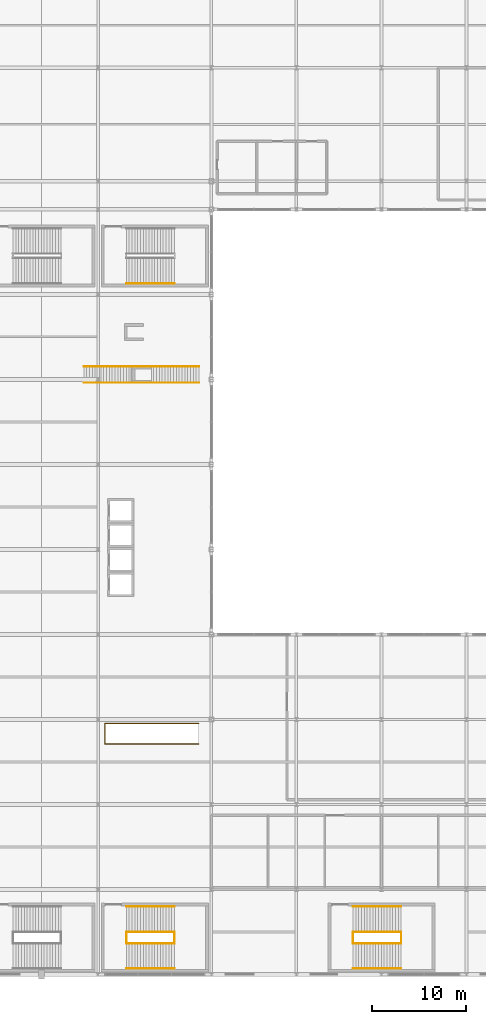
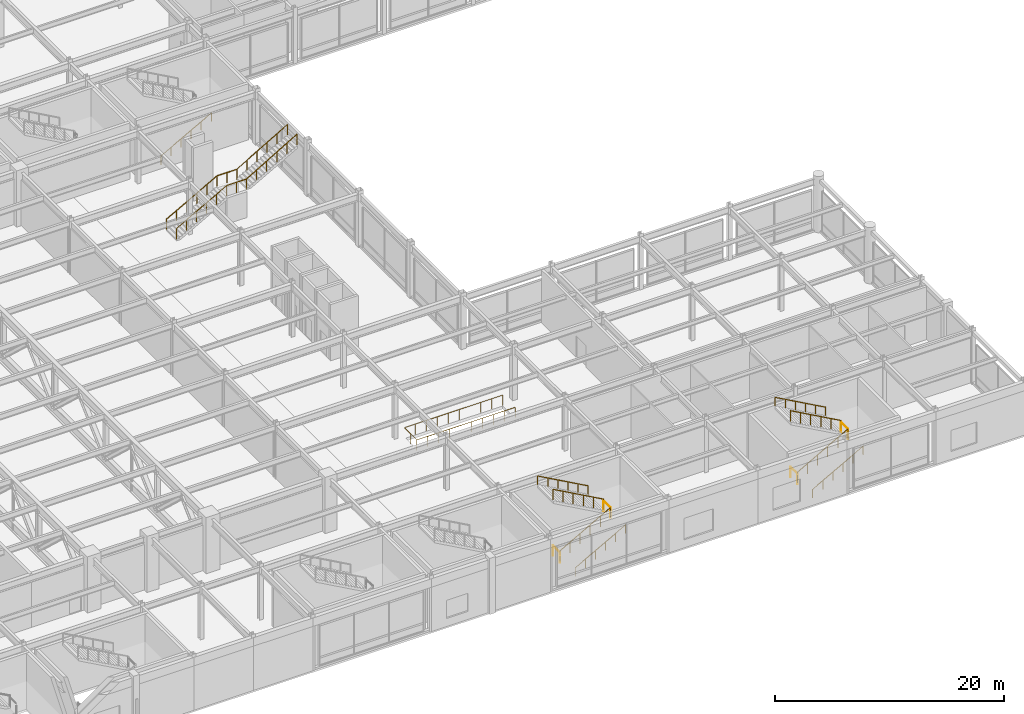
# One storey, part 107 of 108: 16 railings.
"""IFC4 building model written with IfcOpenShell, lengths in metres."""

from ifc_helpers import new_model, si_unit, direction, frame, origin, origin_2d, place, context, subcontext, project, spatial, circle, extrude, material, type_object, element, save


model = new_model("IFC4")

# Units and contexts
model_context = context("Model", 3, precision=1e-05, world=origin(), true_north=direction((0.0, 1.0)))
body_context = subcontext(model_context, "Body", "Model", "MODEL_VIEW")
ifc_project = project(units=[si_unit("LENGTHUNIT", "METRE"), si_unit("AREAUNIT", "SQUARE_METRE"), si_unit("VOLUMEUNIT", "CUBIC_METRE"), si_unit("PLANEANGLEUNIT", "RADIAN"), si_unit("MASSUNIT", "GRAM", prefix="KILO")], contexts=[model_context])

# Site, building, storey
site_placement = place(None, origin())
site = spatial("IfcSite", under=ifc_project, at=site_placement, CompositionType="ELEMENT")
building_placement = place(site_placement, origin())
building = spatial("IfcBuilding", under=site, at=building_placement, Name="Kaldorvane Square Convention Centre", CompositionType="ELEMENT")
storey_placement = place(building_placement, frame((0.0, 0.0, 12.0)))
storey = spatial("IfcBuildingStorey", under=building, at=storey_placement, Name="L02", CompositionType="ELEMENT", Elevation=12.0)

# Railings
ifc_material = material(Name="Architectural Painted Steel", Category="steel")
railing_type_1 = type_object("IfcRailingType", Name="RL-GUARD-1120", PredefinedType="BALUSTRADE", material=ifc_material)
for number, where, name in (
    (1, (128.99000549316406, 3.30999755859375, 0.0), "Convention Exit Stair C10 Floor Well Guard (L02)"),
    (2, (134.08999633789062, 3.30999755859375, 3.0), "Convention Exit Stair C10 Half-Landing Guard (L02)"),
):
    element("IfcRailing", number, at=place(storey_placement, frame(where)), inside=storey, type_object=railing_type_1, Name=name, PredefinedType="BALUSTRADE", context=body_context, shape_type="SweptSolid", body=[
        extrude(circle(Radius=0.0240020751953125, at=origin_2d()), frame((0.0, 0.0, 1.0959930419921875), z_axis=(0.0, 1.0, 0.0), x_axis=(-1.0, 0.0, 0.0)), (0.0, 0.0, 1.0), 1.19000244140625),
        extrude(circle(Radius=0.02099609375, at=origin_2d()), origin(), (0.0, 0.0, 1.0), 1.071990966796875),
        extrude(circle(Radius=0.02099609375, at=origin_2d()), frame((0.0, 1.19000244140625, 0.0)), (0.0, 0.0, 1.0), 1.071990966796875),
    ])
railing_1_placement = place(storey_placement, frame((128.99000549316406, 3.3000030517578125, 0.1666717529296875)))
element("IfcRailing", 3, at=railing_1_placement, inside=storey, type_object=railing_type_1, Name="Convention Exit Stair C10 Flight 1 Guard (L02)", PredefinedType="BALUSTRADE", context=body_context, shape_type="SweptSolid", body=[
    extrude(circle(Radius=0.0240020751953125, at=origin_2d()), frame((0.0, 0.0, 1.0959930419921875), z_axis=(0.874157276122, 0.0, 0.485642931179), x_axis=(0.0, 1.0, 0.0)), (0.0, 0.0, 1.0), 5.8341827392578125),
    extrude(circle(Radius=0.02099609375, at=origin_2d()), origin(), (0.0, 0.0, 1.0), 1.071990966796875),
    extrude(circle(Radius=0.02099609375, at=origin_2d()), frame((1.0200042724609375, 0.0, 0.5666656494140625)), (0.0, 0.0, 1.0), 1.071990966796875),
    extrude(circle(Radius=0.02099609375, at=origin_2d()), frame((2.0399932861328125, 0.0, 1.133331298828125)), (0.0, 0.0, 1.0), 1.071990966796875),
    extrude(circle(Radius=0.02099609375, at=origin_2d()), frame((3.05999755859375, 0.0, 1.6999969482421875)), (0.0, 0.0, 1.0), 1.071990966796875),
    extrude(circle(Radius=0.02099609375, at=origin_2d()), frame((4.079986572265625, 0.0, 2.26666259765625)), (0.0, 0.0, 1.0), 1.071990966796875),
    extrude(circle(Radius=0.02099609375, at=origin_2d()), frame((5.0999908447265625, 0.0, 2.8333282470703125)), (0.0, 0.0, 1.0), 1.071990966796875),
])
railing_2_placement = place(storey_placement, frame((134.08999633789062, 4.5099945068359375, 3.1666717529296875)))
element("IfcRailing", 4, at=railing_2_placement, inside=storey, type_object=railing_type_1, Name="Convention Exit Stair C10 Flight 2 Guard (L02)", PredefinedType="BALUSTRADE", context=body_context, shape_type="SweptSolid", body=[
    extrude(circle(Radius=0.0240020751953125, at=origin_2d()), frame((0.0, 0.0, 1.0959930419921875), z_axis=(-0.874157276122, 0.0, 0.485642931179), x_axis=(0.0, -1.0, 0.0)), (0.0, 0.0, 1.0), 5.8341827392578125),
    extrude(circle(Radius=0.02099609375, at=origin_2d()), origin(), (0.0, 0.0, 1.0), 1.071990966796875),
    extrude(circle(Radius=0.02099609375, at=origin_2d()), frame((-1.0200042724609375, 0.0, 0.5666656494140625)), (0.0, 0.0, 1.0), 1.071990966796875),
    extrude(circle(Radius=0.02099609375, at=origin_2d()), frame((-2.0399932861328125, 0.0, 1.133331298828125)), (0.0, 0.0, 1.0), 1.071990966796875),
    extrude(circle(Radius=0.02099609375, at=origin_2d()), frame((-3.05999755859375, 0.0, 1.6999969482421875)), (0.0, 0.0, 1.0), 1.071990966796875),
    extrude(circle(Radius=0.02099609375, at=origin_2d()), frame((-4.079986572265625, 0.0, 2.26666259765625)), (0.0, 0.0, 1.0), 1.071990966796875),
    extrude(circle(Radius=0.02099609375, at=origin_2d()), frame((-5.0999908447265625, 0.0, 2.8333282470703125)), (0.0, 0.0, 1.0), 1.071990966796875),
])
for number, where, name in (
    (5, (152.99000549316406, 3.30999755859375, 0.0), "Convention Exit Stair C11 Floor Well Guard (L02)"),
    (6, (158.08999633789062, 3.30999755859375, 3.0), "Convention Exit Stair C11 Half-Landing Guard (L02)"),
):
    element("IfcRailing", number, at=place(storey_placement, frame(where)), inside=storey, type_object=railing_type_1, Name=name, PredefinedType="BALUSTRADE", context=body_context, shape_type="SweptSolid", body=[
        extrude(circle(Radius=0.0240020751953125, at=origin_2d()), frame((0.0, 0.0, 1.0959930419921875), z_axis=(0.0, 1.0, 0.0), x_axis=(-1.0, 0.0, 0.0)), (0.0, 0.0, 1.0), 1.19000244140625),
        extrude(circle(Radius=0.02099609375, at=origin_2d()), origin(), (0.0, 0.0, 1.0), 1.071990966796875),
        extrude(circle(Radius=0.02099609375, at=origin_2d()), frame((0.0, 1.19000244140625, 0.0)), (0.0, 0.0, 1.0), 1.071990966796875),
    ])
railing_3_placement = place(storey_placement, frame((152.99000549316406, 3.3000030517578125, 0.1666717529296875)))
element("IfcRailing", 7, at=railing_3_placement, inside=storey, type_object=railing_type_1, Name="Convention Exit Stair C11 Flight 1 Guard (L02)", PredefinedType="BALUSTRADE", context=body_context, shape_type="SweptSolid", body=[
    extrude(circle(Radius=0.0240020751953125, at=origin_2d()), frame((0.0, 0.0, 1.0959930419921875), z_axis=(0.874157276122, 0.0, 0.485642931179), x_axis=(0.0, 1.0, 0.0)), (0.0, 0.0, 1.0), 5.8341827392578125),
    extrude(circle(Radius=0.02099609375, at=origin_2d()), origin(), (0.0, 0.0, 1.0), 1.071990966796875),
    extrude(circle(Radius=0.02099609375, at=origin_2d()), frame((1.0200042724609375, 0.0, 0.5666656494140625)), (0.0, 0.0, 1.0), 1.071990966796875),
    extrude(circle(Radius=0.02099609375, at=origin_2d()), frame((2.0399932861328125, 0.0, 1.133331298828125)), (0.0, 0.0, 1.0), 1.071990966796875),
    extrude(circle(Radius=0.02099609375, at=origin_2d()), frame((3.05999755859375, 0.0, 1.6999969482421875)), (0.0, 0.0, 1.0), 1.071990966796875),
    extrude(circle(Radius=0.02099609375, at=origin_2d()), frame((4.079986572265625, 0.0, 2.26666259765625)), (0.0, 0.0, 1.0), 1.071990966796875),
    extrude(circle(Radius=0.02099609375, at=origin_2d()), frame((5.0999908447265625, 0.0, 2.8333282470703125)), (0.0, 0.0, 1.0), 1.071990966796875),
])
railing_4_placement = place(storey_placement, frame((158.08999633789062, 4.5099945068359375, 3.1666717529296875)))
element("IfcRailing", 8, at=railing_4_placement, inside=storey, type_object=railing_type_1, Name="Convention Exit Stair C11 Flight 2 Guard (L02)", PredefinedType="BALUSTRADE", context=body_context, shape_type="SweptSolid", body=[
    extrude(circle(Radius=0.0240020751953125, at=origin_2d()), frame((0.0, 0.0, 1.0959930419921875), z_axis=(-0.874157276122, 0.0, 0.485642931179), x_axis=(0.0, -1.0, 0.0)), (0.0, 0.0, 1.0), 5.8341827392578125),
    extrude(circle(Radius=0.02099609375, at=origin_2d()), origin(), (0.0, 0.0, 1.0), 1.071990966796875),
    extrude(circle(Radius=0.02099609375, at=origin_2d()), frame((-1.0200042724609375, 0.0, 0.5666656494140625)), (0.0, 0.0, 1.0), 1.071990966796875),
    extrude(circle(Radius=0.02099609375, at=origin_2d()), frame((-2.0399932861328125, 0.0, 1.133331298828125)), (0.0, 0.0, 1.0), 1.071990966796875),
    extrude(circle(Radius=0.02099609375, at=origin_2d()), frame((-3.05999755859375, 0.0, 1.6999969482421875)), (0.0, 0.0, 1.0), 1.071990966796875),
    extrude(circle(Radius=0.02099609375, at=origin_2d()), frame((-4.079986572265625, 0.0, 2.26666259765625)), (0.0, 0.0, 1.0), 1.071990966796875),
    extrude(circle(Radius=0.02099609375, at=origin_2d()), frame((-5.0999908447265625, 0.0, 2.8333282470703125)), (0.0, 0.0, 1.0), 1.071990966796875),
])
railing_5_placement = place(storey_placement, frame((136.64999389648438, 24.419998168945312, 0.0)))
element("IfcRailing", 9, at=railing_5_placement, inside=storey, type_object=railing_type_1, Name="East Foyer Grand Stair F2 Upper Well Guard (L02)", PredefinedType="BALUSTRADE", context=body_context, shape_type="SweptSolid", body=[
    extrude(circle(Radius=0.0240020751953125, at=origin_2d()), frame((0.0, 0.0, 1.0959930419921875), z_axis=(-1.0, 0.0, 0.0), x_axis=(0.0, -1.0, 0.0)), (0.0, 0.0, 1.0), 9.92999267578125),
    extrude(circle(Radius=0.0240020751953125, at=origin_2d()), frame((-9.92999267578125, 0.0, 1.0959930419921875), z_axis=(0.0, 1.0, 0.0), x_axis=(-1.0, 0.0, 0.0)), (0.0, 0.0, 1.0), 2.160003662109375),
    extrude(circle(Radius=0.0240020751953125, at=origin_2d()), frame((-9.92999267578125, 2.160003662109375, 1.0959930419921875), z_axis=(1.0, 0.0, 0.0), x_axis=(0.0, 1.0, 0.0)), (0.0, 0.0, 1.0), 9.92999267578125),
    extrude(circle(Radius=0.02099609375, at=origin_2d()), origin(), (0.0, 0.0, 1.0), 1.071990966796875),
    extrude(circle(Radius=0.02099609375, at=origin_2d()), frame((-1.10333251953125, 0.0, 0.0)), (0.0, 0.0, 1.0), 1.071990966796875),
    extrude(circle(Radius=0.02099609375, at=origin_2d()), frame((-2.2066650390625, 0.0, 0.0)), (0.0, 0.0, 1.0), 1.071990966796875),
    extrude(circle(Radius=0.02099609375, at=origin_2d()), frame((-3.30999755859375, 0.0, 0.0)), (0.0, 0.0, 1.0), 1.071990966796875),
    extrude(circle(Radius=0.02099609375, at=origin_2d()), frame((-4.413330078125, 0.0, 0.0)), (0.0, 0.0, 1.0), 1.071990966796875),
    extrude(circle(Radius=0.02099609375, at=origin_2d()), frame((-5.51666259765625, 0.0, 0.0)), (0.0, 0.0, 1.0), 1.071990966796875),
    extrude(circle(Radius=0.02099609375, at=origin_2d()), frame((-6.6199951171875, 0.0, 0.0)), (0.0, 0.0, 1.0), 1.071990966796875),
    extrude(circle(Radius=0.02099609375, at=origin_2d()), frame((-7.72332763671875, 0.0, 0.0)), (0.0, 0.0, 1.0), 1.071990966796875),
    extrude(circle(Radius=0.02099609375, at=origin_2d()), frame((-8.82666015625, 0.0, 0.0)), (0.0, 0.0, 1.0), 1.071990966796875),
    extrude(circle(Radius=0.02099609375, at=origin_2d()), frame((-9.92999267578125, 0.0, 0.0)), (0.0, 0.0, 1.0), 1.071990966796875),
    extrude(circle(Radius=0.02099609375, at=origin_2d()), frame((-9.92999267578125, 1.0800018310546875, 0.0)), (0.0, 0.0, 1.0), 1.071990966796875),
    extrude(circle(Radius=0.02099609375, at=origin_2d()), frame((-9.92999267578125, 2.160003662109375, 0.0)), (0.0, 0.0, 1.0), 1.071990966796875),
    extrude(circle(Radius=0.02099609375, at=origin_2d()), frame((-8.82666015625, 2.160003662109375, 0.0)), (0.0, 0.0, 1.0), 1.071990966796875),
    extrude(circle(Radius=0.02099609375, at=origin_2d()), frame((-7.72332763671875, 2.160003662109375, 0.0)), (0.0, 0.0, 1.0), 1.071990966796875),
    extrude(circle(Radius=0.02099609375, at=origin_2d()), frame((-6.6199951171875, 2.160003662109375, 0.0)), (0.0, 0.0, 1.0), 1.071990966796875),
    extrude(circle(Radius=0.02099609375, at=origin_2d()), frame((-5.51666259765625, 2.160003662109375, 0.0)), (0.0, 0.0, 1.0), 1.071990966796875),
    extrude(circle(Radius=0.02099609375, at=origin_2d()), frame((-4.413330078125, 2.160003662109375, 0.0)), (0.0, 0.0, 1.0), 1.071990966796875),
    extrude(circle(Radius=0.02099609375, at=origin_2d()), frame((-3.30999755859375, 2.160003662109375, 0.0)), (0.0, 0.0, 1.0), 1.071990966796875),
    extrude(circle(Radius=0.02099609375, at=origin_2d()), frame((-2.2066650390625, 2.160003662109375, 0.0)), (0.0, 0.0, 1.0), 1.071990966796875),
    extrude(circle(Radius=0.02099609375, at=origin_2d()), frame((-1.10333251953125, 2.160003662109375, 0.0)), (0.0, 0.0, 1.0), 1.071990966796875),
    extrude(circle(Radius=0.02099609375, at=origin_2d()), frame((0.0, 2.160003662109375, 0.0)), (0.0, 0.0, 1.0), 1.071990966796875),
])
railing_6_placement = place(storey_placement, frame((124.47999572753906, 62.649993896484375, 0.1666717529296875)))
element("IfcRailing", 10, at=railing_6_placement, inside=storey, type_object=railing_type_1, Name="East Foyer Grand Stair F3 Balustrade S (L02)", PredefinedType="BALUSTRADE", context=body_context, shape_type="SweptSolid", body=[
    extrude(circle(Radius=0.0240020751953125, at=origin_2d()), frame((0.0, 0.0, 1.0959930419921875), z_axis=(0.874157892962, 0.0, 0.485641820864), x_axis=(0.0, 1.0, 0.0)), (0.0, 0.0, 1.0), 5.834197998046875),
    extrude(circle(Radius=0.0240020751953125, at=origin_2d()), frame((5.100006103515625, 0.0, 3.9293212890625), z_axis=(1.0, 0.0, 0.0), x_axis=(0.0, 1.0, 0.0)), (0.0, 0.0, 1.0), 2.0),
    extrude(circle(Radius=0.0240020751953125, at=origin_2d()), frame((7.100006103515625, 0.0, 3.9293212890625), z_axis=(0.861933817393, 0.0, 0.507020802763), x_axis=(0.0, 1.0, 0.0)), (0.0, 0.0, 1.0), 5.9169158935546875),
    extrude(circle(Radius=0.02099609375, at=origin_2d()), origin(), (0.0, 0.0, 1.0), 1.071990966796875),
    extrude(circle(Radius=0.02099609375, at=origin_2d()), frame((1.0200042724609375, 0.0, 0.5666656494140625)), (0.0, 0.0, 1.0), 1.071990966796875),
    extrude(circle(Radius=0.02099609375, at=origin_2d()), frame((2.040008544921875, 0.0, 1.133331298828125)), (0.0, 0.0, 1.0), 1.071990966796875),
    extrude(circle(Radius=0.02099609375, at=origin_2d()), frame((3.05999755859375, 0.0, 1.6999969482421875)), (0.0, 0.0, 1.0), 1.071990966796875),
    extrude(circle(Radius=0.02099609375, at=origin_2d()), frame((4.0800018310546875, 0.0, 2.26666259765625)), (0.0, 0.0, 1.0), 1.071990966796875),
    extrude(circle(Radius=0.02099609375, at=origin_2d()), frame((5.100006103515625, 0.0, 2.8333282470703125)), (0.0, 0.0, 1.0), 1.071990966796875),
    extrude(circle(Radius=0.02099609375, at=origin_2d()), frame((6.100006103515625, 0.0, 2.8333282470703125)), (0.0, 0.0, 1.0), 1.071990966796875),
    extrude(circle(Radius=0.02099609375, at=origin_2d()), frame((7.100006103515625, 0.0, 2.8333282470703125)), (0.0, 0.0, 1.0), 1.071990966796875),
    extrude(circle(Radius=0.02099609375, at=origin_2d()), frame((8.120010375976562, 0.0, 3.4333343505859375)), (0.0, 0.0, 1.0), 1.071990966796875),
    extrude(circle(Radius=0.02099609375, at=origin_2d()), frame((9.139999389648438, 0.0, 4.0333251953125)), (0.0, 0.0, 1.0), 1.071990966796875),
    extrude(circle(Radius=0.02099609375, at=origin_2d()), frame((10.160003662109375, 0.0, 4.633331298828125)), (0.0, 0.0, 1.0), 1.071990966796875),
    extrude(circle(Radius=0.02099609375, at=origin_2d()), frame((11.17999267578125, 0.0, 5.2333221435546875)), (0.0, 0.0, 1.0), 1.071990966796875),
    extrude(circle(Radius=0.02099609375, at=origin_2d()), frame((12.199996948242188, 0.0, 5.8333282470703125)), (0.0, 0.0, 1.0), 1.071990966796875),
])
railing_7_placement = place(storey_placement, frame((124.47999572753906, 64.35000610351562, 0.1666717529296875)))
element("IfcRailing", 11, at=railing_7_placement, inside=storey, type_object=railing_type_1, Name="East Foyer Grand Stair F3 Balustrade N (L02)", PredefinedType="BALUSTRADE", context=body_context, shape_type="SweptSolid", body=[
    extrude(circle(Radius=0.0240020751953125, at=origin_2d()), frame((0.0, 0.0, 1.0959930419921875), z_axis=(0.874157892962, 0.0, 0.485641820864), x_axis=(0.0, 1.0, 0.0)), (0.0, 0.0, 1.0), 5.834197998046875),
    extrude(circle(Radius=0.0240020751953125, at=origin_2d()), frame((5.100006103515625, 0.0, 3.9293212890625), z_axis=(1.0, 0.0, 0.0), x_axis=(0.0, 1.0, 0.0)), (0.0, 0.0, 1.0), 2.0),
    extrude(circle(Radius=0.0240020751953125, at=origin_2d()), frame((7.100006103515625, 0.0, 3.9293212890625), z_axis=(0.861933817393, 0.0, 0.507020802763), x_axis=(0.0, 1.0, 0.0)), (0.0, 0.0, 1.0), 5.9169158935546875),
    extrude(circle(Radius=0.02099609375, at=origin_2d()), origin(), (0.0, 0.0, 1.0), 1.071990966796875),
    extrude(circle(Radius=0.02099609375, at=origin_2d()), frame((1.0200042724609375, 0.0, 0.5666656494140625)), (0.0, 0.0, 1.0), 1.071990966796875),
    extrude(circle(Radius=0.02099609375, at=origin_2d()), frame((2.040008544921875, 0.0, 1.133331298828125)), (0.0, 0.0, 1.0), 1.071990966796875),
    extrude(circle(Radius=0.02099609375, at=origin_2d()), frame((3.05999755859375, 0.0, 1.6999969482421875)), (0.0, 0.0, 1.0), 1.071990966796875),
    extrude(circle(Radius=0.02099609375, at=origin_2d()), frame((4.0800018310546875, 0.0, 2.26666259765625)), (0.0, 0.0, 1.0), 1.071990966796875),
    extrude(circle(Radius=0.02099609375, at=origin_2d()), frame((5.100006103515625, 0.0, 2.8333282470703125)), (0.0, 0.0, 1.0), 1.071990966796875),
    extrude(circle(Radius=0.02099609375, at=origin_2d()), frame((6.100006103515625, 0.0, 2.8333282470703125)), (0.0, 0.0, 1.0), 1.071990966796875),
    extrude(circle(Radius=0.02099609375, at=origin_2d()), frame((7.100006103515625, 0.0, 2.8333282470703125)), (0.0, 0.0, 1.0), 1.071990966796875),
    extrude(circle(Radius=0.02099609375, at=origin_2d()), frame((8.120010375976562, 0.0, 3.4333343505859375)), (0.0, 0.0, 1.0), 1.071990966796875),
    extrude(circle(Radius=0.02099609375, at=origin_2d()), frame((9.139999389648438, 0.0, 4.0333251953125)), (0.0, 0.0, 1.0), 1.071990966796875),
    extrude(circle(Radius=0.02099609375, at=origin_2d()), frame((10.160003662109375, 0.0, 4.633331298828125)), (0.0, 0.0, 1.0), 1.071990966796875),
    extrude(circle(Radius=0.02099609375, at=origin_2d()), frame((11.17999267578125, 0.0, 5.2333221435546875)), (0.0, 0.0, 1.0), 1.071990966796875),
    extrude(circle(Radius=0.02099609375, at=origin_2d()), frame((12.199996948242188, 0.0, 5.8333282470703125)), (0.0, 0.0, 1.0), 1.071990966796875),
])
railing_type_2 = type_object("IfcRailingType", Name="RL-HAND-915", PredefinedType="HANDRAIL", material=ifc_material)
railing_8_placement = place(storey_placement, frame((128.99000549316406, 0.6199951171875, 0.1666717529296875)))
element("IfcRailing", 12, at=railing_8_placement, inside=storey, type_object=railing_type_2, Name="Convention Exit Stair C10 Wall Handrail 1 (L02)", PredefinedType="HANDRAIL", context=body_context, shape_type="SweptSolid", body=[
    extrude(circle(Radius=0.0240020751953125, at=origin_2d()), frame((0.0, 0.0, 0.8909912109375), z_axis=(0.874157276122, 0.0, 0.485642931179), x_axis=(0.0, 1.0, 0.0)), (0.0, 0.0, 1.0), 5.8341827392578125),
    extrude(circle(Radius=0.02099609375, at=origin_2d()), origin(), (0.0, 0.0, 1.0), 0.8669891357421875),
    extrude(circle(Radius=0.02099609375, at=origin_2d()), frame((1.0200042724609375, 0.0, 0.5666656494140625)), (0.0, 0.0, 1.0), 0.8669891357421875),
    extrude(circle(Radius=0.02099609375, at=origin_2d()), frame((2.0399932861328125, 0.0, 1.133331298828125)), (0.0, 0.0, 1.0), 0.8669891357421875),
    extrude(circle(Radius=0.02099609375, at=origin_2d()), frame((3.05999755859375, 0.0, 1.6999969482421875)), (0.0, 0.0, 1.0), 0.8669891357421875),
    extrude(circle(Radius=0.02099609375, at=origin_2d()), frame((4.079986572265625, 0.0, 2.26666259765625)), (0.0, 0.0, 1.0), 0.8669891357421875),
    extrude(circle(Radius=0.02099609375, at=origin_2d()), frame((5.0999908447265625, 0.0, 2.8333282470703125)), (0.0, 0.0, 1.0), 0.8669891357421875),
])
railing_9_placement = place(storey_placement, frame((134.08999633789062, 7.19000244140625, 3.1666717529296875)))
element("IfcRailing", 13, at=railing_9_placement, inside=storey, type_object=railing_type_2, Name="Convention Exit Stair C10 Wall Handrail 2 (L02)", PredefinedType="HANDRAIL", context=body_context, shape_type="SweptSolid", body=[
    extrude(circle(Radius=0.0240020751953125, at=origin_2d()), frame((0.0, 0.0, 0.8909912109375), z_axis=(-0.874157276122, 0.0, 0.485642931179), x_axis=(0.0, -1.0, 0.0)), (0.0, 0.0, 1.0), 5.8341827392578125),
    extrude(circle(Radius=0.02099609375, at=origin_2d()), origin(), (0.0, 0.0, 1.0), 0.8669891357421875),
    extrude(circle(Radius=0.02099609375, at=origin_2d()), frame((-1.0200042724609375, 0.0, 0.5666656494140625)), (0.0, 0.0, 1.0), 0.8669891357421875),
    extrude(circle(Radius=0.02099609375, at=origin_2d()), frame((-2.0399932861328125, 0.0, 1.133331298828125)), (0.0, 0.0, 1.0), 0.8669891357421875),
    extrude(circle(Radius=0.02099609375, at=origin_2d()), frame((-3.05999755859375, 0.0, 1.6999969482421875)), (0.0, 0.0, 1.0), 0.8669891357421875),
    extrude(circle(Radius=0.02099609375, at=origin_2d()), frame((-4.079986572265625, 0.0, 2.26666259765625)), (0.0, 0.0, 1.0), 0.8669891357421875),
    extrude(circle(Radius=0.02099609375, at=origin_2d()), frame((-5.0999908447265625, 0.0, 2.8333282470703125)), (0.0, 0.0, 1.0), 0.8669891357421875),
])
railing_10_placement = place(storey_placement, frame((152.99000549316406, 0.6199951171875, 0.1666717529296875)))
element("IfcRailing", 14, at=railing_10_placement, inside=storey, type_object=railing_type_2, Name="Convention Exit Stair C11 Wall Handrail 1 (L02)", PredefinedType="HANDRAIL", context=body_context, shape_type="SweptSolid", body=[
    extrude(circle(Radius=0.0240020751953125, at=origin_2d()), frame((0.0, 0.0, 0.8909912109375), z_axis=(0.874157276122, 0.0, 0.485642931179), x_axis=(0.0, 1.0, 0.0)), (0.0, 0.0, 1.0), 5.8341827392578125),
    extrude(circle(Radius=0.02099609375, at=origin_2d()), origin(), (0.0, 0.0, 1.0), 0.8669891357421875),
    extrude(circle(Radius=0.02099609375, at=origin_2d()), frame((1.0200042724609375, 0.0, 0.5666656494140625)), (0.0, 0.0, 1.0), 0.8669891357421875),
    extrude(circle(Radius=0.02099609375, at=origin_2d()), frame((2.0399932861328125, 0.0, 1.133331298828125)), (0.0, 0.0, 1.0), 0.8669891357421875),
    extrude(circle(Radius=0.02099609375, at=origin_2d()), frame((3.05999755859375, 0.0, 1.6999969482421875)), (0.0, 0.0, 1.0), 0.8669891357421875),
    extrude(circle(Radius=0.02099609375, at=origin_2d()), frame((4.079986572265625, 0.0, 2.26666259765625)), (0.0, 0.0, 1.0), 0.8669891357421875),
    extrude(circle(Radius=0.02099609375, at=origin_2d()), frame((5.0999908447265625, 0.0, 2.8333282470703125)), (0.0, 0.0, 1.0), 0.8669891357421875),
])
railing_11_placement = place(storey_placement, frame((158.08999633789062, 7.19000244140625, 3.1666717529296875)))
element("IfcRailing", 15, at=railing_11_placement, inside=storey, type_object=railing_type_2, Name="Convention Exit Stair C11 Wall Handrail 2 (L02)", PredefinedType="HANDRAIL", context=body_context, shape_type="SweptSolid", body=[
    extrude(circle(Radius=0.0240020751953125, at=origin_2d()), frame((0.0, 0.0, 0.8909912109375), z_axis=(-0.874157276122, 0.0, 0.485642931179), x_axis=(0.0, -1.0, 0.0)), (0.0, 0.0, 1.0), 5.8341827392578125),
    extrude(circle(Radius=0.02099609375, at=origin_2d()), origin(), (0.0, 0.0, 1.0), 0.8669891357421875),
    extrude(circle(Radius=0.02099609375, at=origin_2d()), frame((-1.0200042724609375, 0.0, 0.5666656494140625)), (0.0, 0.0, 1.0), 0.8669891357421875),
    extrude(circle(Radius=0.02099609375, at=origin_2d()), frame((-2.0399932861328125, 0.0, 1.133331298828125)), (0.0, 0.0, 1.0), 0.8669891357421875),
    extrude(circle(Radius=0.02099609375, at=origin_2d()), frame((-3.05999755859375, 0.0, 1.6999969482421875)), (0.0, 0.0, 1.0), 0.8669891357421875),
    extrude(circle(Radius=0.02099609375, at=origin_2d()), frame((-4.079986572265625, 0.0, 2.26666259765625)), (0.0, 0.0, 1.0), 0.8669891357421875),
    extrude(circle(Radius=0.02099609375, at=origin_2d()), frame((-5.0999908447265625, 0.0, 2.8333282470703125)), (0.0, 0.0, 1.0), 0.8669891357421875),
])
railing_12_placement = place(storey_placement, frame((128.99000549316406, 73.16999816894531, 0.1666717529296875)))
element("IfcRailing", 16, at=railing_12_placement, inside=storey, type_object=railing_type_2, Name="Convention Exit Stair C18 Wall Handrail 1 (L02)", PredefinedType="HANDRAIL", context=body_context, shape_type="SweptSolid", body=[
    extrude(circle(Radius=0.0240020751953125, at=origin_2d()), frame((0.0, 0.0, 0.8909912109375), z_axis=(0.874157276122, 0.0, 0.485642931179), x_axis=(0.0, 1.0, 0.0)), (0.0, 0.0, 1.0), 5.8341827392578125),
    extrude(circle(Radius=0.02099609375, at=origin_2d()), origin(), (0.0, 0.0, 1.0), 0.8669891357421875),
    extrude(circle(Radius=0.02099609375, at=origin_2d()), frame((1.0200042724609375, 0.0, 0.5666656494140625)), (0.0, 0.0, 1.0), 0.8669891357421875),
    extrude(circle(Radius=0.02099609375, at=origin_2d()), frame((2.0399932861328125, 0.0, 1.133331298828125)), (0.0, 0.0, 1.0), 0.8669891357421875),
    extrude(circle(Radius=0.02099609375, at=origin_2d()), frame((3.05999755859375, 0.0, 1.6999969482421875)), (0.0, 0.0, 1.0), 0.8669891357421875),
    extrude(circle(Radius=0.02099609375, at=origin_2d()), frame((4.079986572265625, 0.0, 2.26666259765625)), (0.0, 0.0, 1.0), 0.8669891357421875),
    extrude(circle(Radius=0.02099609375, at=origin_2d()), frame((5.0999908447265625, 0.0, 2.8333282470703125)), (0.0, 0.0, 1.0), 0.8669891357421875),
])

save(model, "model.ifc")
